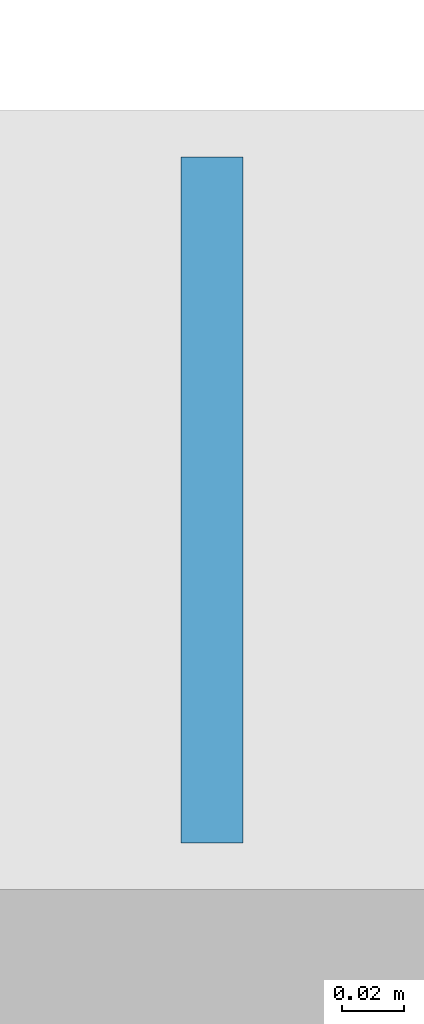
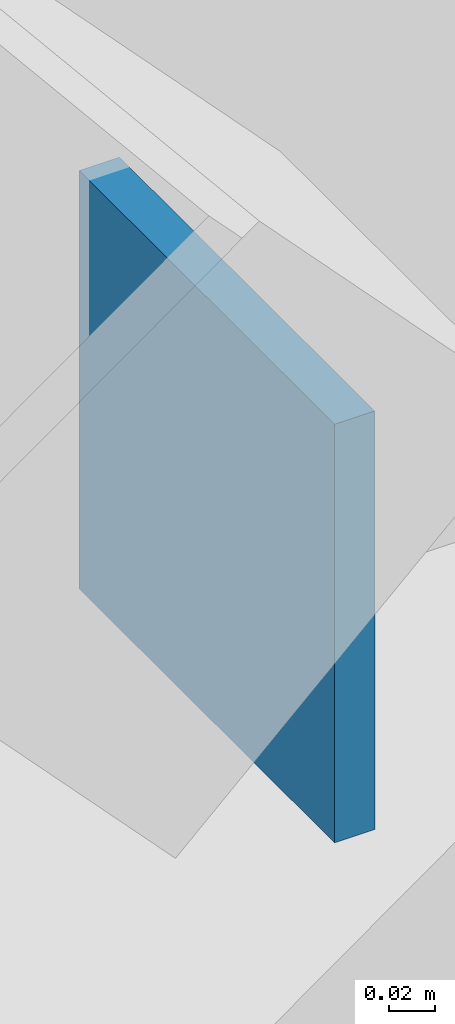
# One storey, part 108 of 127: 1 plate.
"""IFC4 building model written with IfcOpenShell, lengths in metres."""

import ifcopenshell
import ifcopenshell.guid

model = None  # the IFC model being written
_history = None  # IfcOwnerHistory: only IFC2X3 demands one
_inside = {}  # id of a spatial element -> (the spatial element, [elements in it])
_under = {}  # id of a project, library or spatial element -> (it, [spatial elements below it])
_declared = {}  # id of a project -> (the project, [libraries it declares])
_typed = {}  # id of a type object -> (the type object, [elements of that type])
_made_of = {}  # id of a material, layer set ... -> (it, [elements and type objects made of it])


def new_model(schema):
    """Start an empty IFC model of exactly this schema.

    Asked for "IFC4X3", IfcOpenShell would pick the latest addendum, in which some entities
    have other attributes; the version numbers below select the first issue.
    IFC2X3 requires an IfcOwnerHistory on every rooted entity: one is made here for all.
    """
    global model, _history
    if schema == "IFC4X3":
        model = ifcopenshell.file(schema_version=(4, 3, 0, 0))
    else:
        model = ifcopenshell.file(schema=schema)
    _inside.clear()
    _under.clear()
    _declared.clear()
    _typed.clear()
    _made_of.clear()
    _history = None
    if model.schema == "IFC2X3":
        org = make("IfcOrganization", Name="unknown")
        user = make(
            "IfcPersonAndOrganization",
            ThePerson=make("IfcPerson", FamilyName="unknown"),
            TheOrganization=org,
        )
        app = make(
            "IfcApplication",
            ApplicationDeveloper=org,
            Version="unknown",
            ApplicationFullName="unknown",
            ApplicationIdentifier="unknown",
        )
        _history = make(
            "IfcOwnerHistory",
            OwningUser=user,
            OwningApplication=app,
            ChangeAction="ADDED",
            CreationDate=0,
        )
    return model


def make(cls, **values):
    """One entity of the class cls with the attributes given. An attribute that is None is left unset."""
    return model.create_entity(
        cls, **{name: value for name, value in values.items() if value is not None}
    )


def rooted(cls, **values):
    """An entity with a GlobalId (a new one), such as an element, a storey or a relation."""
    return make(cls, GlobalId=ifcopenshell.guid.new(), OwnerHistory=_history, **values)


def si_unit(unit_type, name, prefix=None):
    """IfcSIUnit, for example si_unit("LENGTHUNIT", "METRE", prefix="MILLI")."""
    return make("IfcSIUnit", UnitType=unit_type, Prefix=prefix, Name=name)


def derived_unit(unit_type, elements):
    """IfcDerivedUnit: a product of units, each with its exponent."""
    return make(
        "IfcDerivedUnit",
        Elements=[
            make("IfcDerivedUnitElement", Unit=unit, Exponent=power)
            for unit, power in elements
        ],
        UnitType=unit_type,
    )


def assignment(units):
    """IfcUnitAssignment: the units of a project."""
    return None if units is None else make("IfcUnitAssignment", Units=units)


def point(xyz):
    """IfcCartesianPoint."""
    return None if xyz is None else make("IfcCartesianPoint", Coordinates=xyz)


def direction(xyz):
    """IfcDirection."""
    return None if xyz is None else make("IfcDirection", DirectionRatios=xyz)


def frame(location, z_axis=None, x_axis=None):
    """IfcAxis2Placement3D, a coordinate frame: its origin and axes. An axis left out is left unset."""
    return make(
        "IfcAxis2Placement3D",
        Location=point(location),
        Axis=direction(z_axis),
        RefDirection=direction(x_axis),
    )


def frame_2d(location, x_axis=None):
    """IfcAxis2Placement2D, a coordinate frame in the plane: its origin and x axis."""
    return make(
        "IfcAxis2Placement2D", Location=point(location), RefDirection=direction(x_axis)
    )


def origin():
    """The frame at (0, 0, 0) with its axes left unset."""
    return frame((0.0, 0.0, 0.0))


def origin_2d():
    """The frame at (0, 0) in the plane with its x axis left unset."""
    return frame_2d((0.0, 0.0))


def place(relative_to, where):
    """IfcLocalPlacement: puts the frame where relative to a parent placement (None: the world)."""
    return make(
        "IfcLocalPlacement", PlacementRelTo=relative_to, RelativePlacement=where
    )


def context(
    kind, dimensions, precision=None, world=None, true_north=None, identifier=None
):
    """IfcGeometricRepresentationContext, for example the 3D "Model" context."""
    return make(
        "IfcGeometricRepresentationContext",
        ContextIdentifier=identifier,
        ContextType=kind,
        CoordinateSpaceDimension=dimensions,
        Precision=precision,
        WorldCoordinateSystem=world,
        TrueNorth=true_north,
    )


def subcontext(parent, identifier, kind, view, scale=None):
    """IfcGeometricRepresentationSubContext, for example "Body" below "Model"."""
    return make(
        "IfcGeometricRepresentationSubContext",
        ContextIdentifier=identifier,
        ContextType=kind,
        ParentContext=parent,
        TargetScale=scale,
        TargetView=view,
    )


def project(units=None, contexts=None):
    """IfcProject with its units and contexts."""
    return rooted(
        "IfcProject",
        Name="project",
        RepresentationContexts=contexts,
        UnitsInContext=assignment(units),
    )


def spatial(cls, under=None, at=None, **own):
    """A site, building, storey or space (cls), placed at a placement, below another one or the project."""
    s = rooted(cls, ObjectPlacement=at, **own)
    if under is not None:
        _under.setdefault(under.id(), (under, []))[1].append(s)
    return s


def profile(cls, at=None, kind="AREA", **sizes):
    """A parametric profile (cls). Its sizes go by their IFC names, for example OverallWidth=200.0."""
    return make(cls, ProfileType=kind, Position=at, **sizes)


def rectangle(**sizes):
    """IfcRectangleProfileDef."""
    return profile("IfcRectangleProfileDef", **sizes)


def extrude(swept, where, along, depth):
    """IfcExtrudedAreaSolid: the profile swept, set in the frame where, extruded along a direction by depth."""
    return make(
        "IfcExtrudedAreaSolid",
        SweptArea=swept,
        Position=where,
        ExtrudedDirection=direction(along),
        Depth=depth,
    )


def shape(context_of_items, identifier, shape_type, items):
    """IfcShapeRepresentation: the items that make up one representation, for example the "Body"."""
    return make(
        "IfcShapeRepresentation",
        ContextOfItems=context_of_items,
        RepresentationIdentifier=identifier,
        RepresentationType=shape_type,
        Items=items,
    )


def material(Name=None, Category=None):
    """IfcMaterial."""
    return make("IfcMaterial", Name=Name, Category=Category)


def layer(
    of_material, thickness, ventilated=None, Name=None, Category=None, Priority=None
):
    """IfcMaterialLayer: one layer of a wall or slab, of a material (None: an air gap)."""
    return make(
        "IfcMaterialLayer",
        Material=of_material,
        LayerThickness=thickness,
        IsVentilated=ventilated,
        Name=Name,
        Category=Category,
        Priority=Priority,
    )


def layer_set(layers, Name=None):
    """IfcMaterialLayerSet."""
    return make("IfcMaterialLayerSet", MaterialLayers=layers, LayerSetName=Name)


def made_of(thing, what):
    """Note that an element or type object is made of a material, layer set ...; save() writes the relation."""
    if what is not None:
        _made_of.setdefault(what.id(), (what, []))[1].append(thing)
    return thing


def type_object(cls, material=None, **own):
    """A type object (cls), such as IfcWallType, which elements share."""
    return made_of(rooted(cls, **own), material)


def element(
    cls,
    number,
    at=None,
    inside=None,
    cuts=None,
    type_object=None,
    material=None,
    context=None,
    identifier="Body",
    shape_type=None,
    held_by="IfcProductDefinitionShape",
    body=None,
    shapes=None,
    **own,
):
    """One element of the class cls, such as IfcWall. Its Tag is "e" and its number.

    at: its placement. inside: the storey or other place that contains it. cuts: it is an
    opening in that element (IfcRelVoidsElement). A single representation is given by context,
    identifier, shape_type and body (its items); several are given by shapes. held_by: the class
    of the entity that holds the representations. save() writes the other relations.
    """
    e = rooted(cls, Tag="e%d" % number, ObjectPlacement=at, **own)
    if body is not None:
        shapes = [shape(context, identifier, shape_type, body)]
    if shapes is not None:
        e.Representation = make(held_by, Representations=shapes)
    if inside is not None:
        _inside.setdefault(inside.id(), (inside, []))[1].append(e)
    if cuts is not None:
        rooted(
            "IfcRelVoidsElement", RelatingBuildingElement=cuts, RelatedOpeningElement=e
        )
    if type_object is not None:
        _typed.setdefault(type_object.id(), (type_object, []))[1].append(e)
    return made_of(e, material)


def aggregate(whole, parts):
    """IfcRelAggregates: a whole, such as a stair, and the parts it consists of."""
    return rooted("IfcRelAggregates", RelatingObject=whole, RelatedObjects=parts)


def save(model, path):
    """Write the relations noted so far, then the file.

    IfcRelAggregates (storeys below a building ...), IfcRelContainedInSpatialStructure (elements
    in a storey), IfcRelDefinesByType, IfcRelAssociatesMaterial and IfcRelDeclares: one each for
    every whole, place, type object, material and project.
    """
    for whole, parts in _under.values():
        aggregate(whole, parts)
    for where, things in _inside.values():
        rooted(
            "IfcRelContainedInSpatialStructure",
            RelatedElements=things,
            RelatingStructure=where,
        )
    for kind, things in _typed.values():
        rooted("IfcRelDefinesByType", RelatedObjects=things, RelatingType=kind)
    for what, things in _made_of.values():
        rooted("IfcRelAssociatesMaterial", RelatedObjects=things, RelatingMaterial=what)
    for by, libraries in _declared.values():
        rooted("IfcRelDeclares", RelatingContext=by, RelatedDefinitions=libraries)
    model.write(path)


model = new_model("IFC4")

# Units and contexts
model_context = context("Model", 3, precision=1e-05, world=origin(), true_north=direction((0.0, 1.0)))
body_context = subcontext(model_context, "Body", "Model", "MODEL_VIEW")
ifc_project = project(units=[si_unit("LENGTHUNIT", "METRE"), si_unit("AREAUNIT", "SQUARE_METRE"), si_unit("VOLUMEUNIT", "CUBIC_METRE"), si_unit("PLANEANGLEUNIT", "RADIAN"), si_unit("MASSUNIT", "GRAM", prefix="KILO"), derived_unit("THERMALTRANSMITTANCEUNIT", [(si_unit("POWERUNIT", "WATT"), 1), (si_unit("LENGTHUNIT", "METRE"), -2), (si_unit("THERMODYNAMICTEMPERATUREUNIT", "KELVIN"), -1)])], contexts=[model_context])

# Site, building, storey
site_placement = place(None, origin())
site = spatial("IfcSite", under=ifc_project, at=site_placement, CompositionType="ELEMENT")
building_placement = place(site_placement, origin())
building = spatial("IfcBuilding", under=site, at=building_placement, Name="Nallur Shell Playhouse", CompositionType="ELEMENT")
storey_placement = place(building_placement, frame((0.0, 0.0, 5.39990234375)))
storey = spatial("IfcBuildingStorey", under=building, at=storey_placement, Name="L02", CompositionType="ELEMENT", Elevation=5.39990234375)

# Plate
ifc_material = material(Name="Steel E350", Category="steel")
ifc_layer = layer(ifc_material, 0.02001953125)
ifc_layer_set = layer_set([ifc_layer], Name="Steel E350")
plate_type = type_object("IfcPlateType", Name="PT-ENDCAP-20", PredefinedType="SHEET", material=ifc_layer_set)
plate_placement = place(storey_placement, frame((95.206787109375, 83.0, 0.03271484375), z_axis=(0.0, 0.0, 1.0), x_axis=(1.0, 0.0, 0.0)))
element("IfcPlate", 1, at=plate_placement, inside=storey, type_object=plate_type, Name="Hollow end cap EC-BR-FT-L02-016-0", PredefinedType="SHEET", context=body_context, shape_type="SweptSolid", body=[
    extrude(rectangle(XDim=0.02001953125, YDim=0.219970703125, at=origin_2d()), origin(), (0.0, 0.0, 1.0), 0.219970703125),
])

save(model, "model.ifc")
